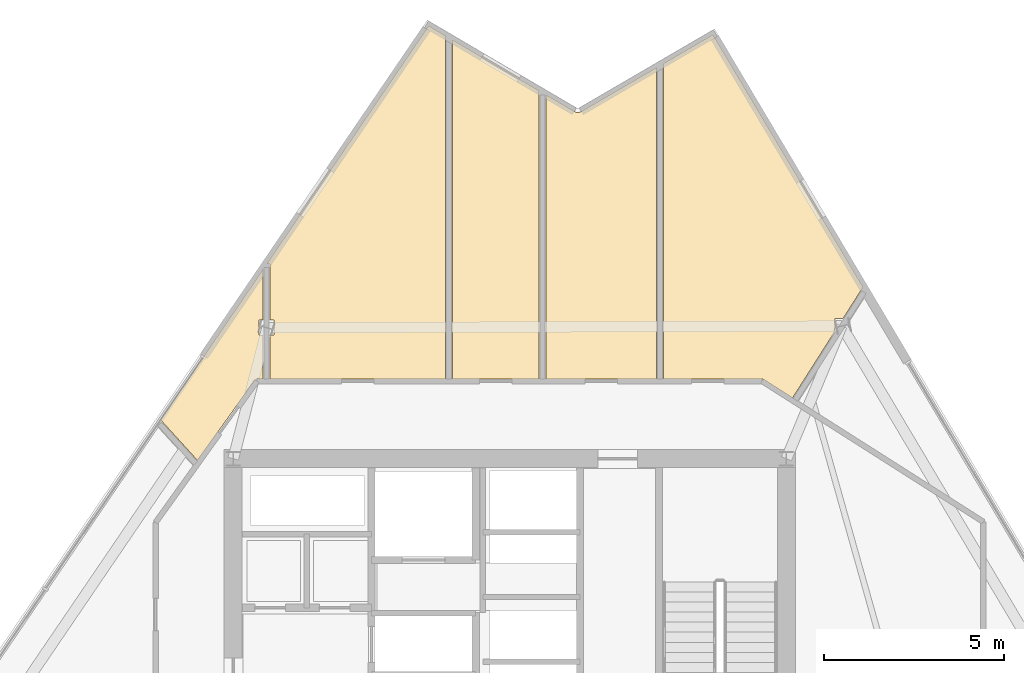
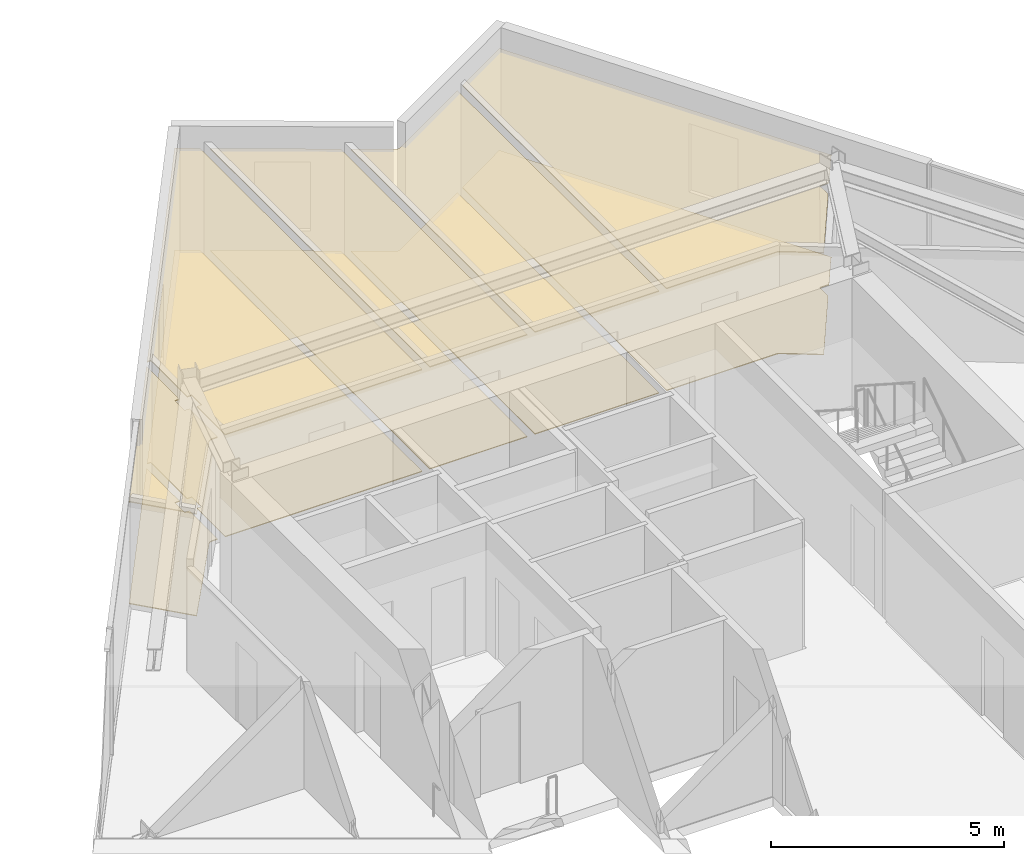
# One storey, part 14 of 15: 10 coverings.
"""IFC4 building model written with IfcOpenShell, lengths in metres."""

from ifc_helpers import new_model, si_unit, direction, frame, origin, place, context, subcontext, project, spatial, polyline, outline, extrude, material, layer, layer_set, type_object, element, save


model = new_model("IFC4")

# Units and contexts
model_context = context("Model", 3, precision=1e-05, world=origin(), true_north=direction((0.0, 1.0)))
body_context = subcontext(model_context, "Body", "Model", "MODEL_VIEW")
ifc_project = project(units=[si_unit("LENGTHUNIT", "METRE"), si_unit("AREAUNIT", "SQUARE_METRE"), si_unit("VOLUMEUNIT", "CUBIC_METRE"), si_unit("PLANEANGLEUNIT", "RADIAN"), si_unit("MASSUNIT", "GRAM", prefix="KILO")], contexts=[model_context])

# Site, building, storey
site_placement = place(None, origin())
site = spatial("IfcSite", under=ifc_project, at=site_placement, CompositionType="ELEMENT")
building_placement = place(site_placement, origin())
building = spatial("IfcBuilding", under=site, at=building_placement, Name="Savorim Split Tower", CompositionType="ELEMENT")
storey_placement = place(building_placement, frame((0.0, 0.0, 167.39990234375)))
storey = spatial("IfcBuildingStorey", under=building, at=storey_placement, Name="L44", CompositionType="ELEMENT", Elevation=167.39990234375)

# Coverings
ifc_material_1 = material(Name="Mineral Fibre Acoustic Ceiling")
ifc_layer_1 = layer(ifc_material_1, 0.02490234375)
ifc_layer_set_1 = layer_set([ifc_layer_1], Name="COV-CEIL-25")
covering_type_1 = type_object("IfcCoveringType", Name="COV-CEIL-25", PredefinedType="CEILING", material=ifc_layer_set_1)
covering_1_placement = place(storey_placement, frame((0.0, 0.0, 2.670166015625)))
element("IfcCovering", 1, at=covering_1_placement, inside=storey, type_object=covering_type_1, Name="L44 Quiet Study Room Acoustic Ceiling", PredefinedType="CEILING", context=body_context, shape_type="SweptSolid", body=[
    extrude(outline(polyline([(9.828369140625, 14.970458984375), (9.843505859375, 14.960693359375), (5.65478515625, 22.00537109375), (4.27392578125, 21.20068359375), (4.27392578125, 12.419921875), (7.0, 12.419921875), (7.01318359375, 12.41943359375), (7.0263671875, 12.41748046875), (7.0390625, 12.414306640625), (7.051513671875, 12.41015625), (7.063720703125, 12.40478515625), (7.0751953125, 12.398193359375), (7.870361328125, 11.892333984375), (9.04833984375, 13.743896484375), (9.04833984375, 14.107421875), (9.279541015625, 14.107421875), (9.77734375, 14.890380859375), (9.828369140625, 14.970458984375)])), origin(), (0.0, 0.0, 1.0), 0.02490234375),
])
covering_2_placement = place(storey_placement, frame((0.0, 0.0, 2.670166015625)))
element("IfcCovering", 2, at=covering_2_placement, inside=storey, type_object=covering_type_1, Name="L44 Quiet Study Room Acoustic Ceiling", PredefinedType="CEILING", context=body_context, shape_type="SweptSolid", body=[
    extrude(outline(polyline([(1.85205078125, 19.838134765625), (1.84130859375, 19.842529296875), (1.831298828125, 19.847900390625), (1.005615234375, 20.333251953125), (1.005615234375, 12.419921875), (4.083984375, 12.419921875), (4.083984375, 21.090087890625), (1.952392578125, 19.84765625), (1.942138671875, 19.84228515625), (1.931396484375, 19.838134765625), (1.92041015625, 19.834716796875), (1.9091796875, 19.83251953125), (1.897705078125, 19.83154296875), (1.885986328125, 19.83154296875), (1.87451171875, 19.832763671875), (1.86328125, 19.8349609375), (1.85205078125, 19.838134765625)])), origin(), (0.0, 0.0, 1.0), 0.02490234375),
])
covering_3_placement = place(storey_placement, frame((0.0, 0.0, 2.670166015625)))
element("IfcCovering", 3, at=covering_3_placement, inside=storey, type_object=covering_type_1, Name="L44 Quiet Study Room Acoustic Ceiling", PredefinedType="CEILING", context=body_context, shape_type="SweptSolid", body=[
    extrude(outline(polyline([(-1.6015625, 12.419921875), (0.8154296875, 12.419921875), (0.8154296875, 20.44482421875), (-1.6015625, 21.865478515625), (-1.6015625, 12.419921875)])), origin(), (0.0, 0.0, 1.0), 0.02490234375),
])
covering_4_placement = place(storey_placement, frame((0.0, 0.0, 2.670166015625)))
element("IfcCovering", 4, at=covering_4_placement, inside=storey, type_object=covering_type_1, Name="L44 Quiet Study Room Acoustic Ceiling", PredefinedType="CEILING", context=body_context, shape_type="SweptSolid", body=[
    extrude(outline(polyline([(-6.677490234375, 12.419921875), (-1.79150390625, 12.419921875), (-1.79150390625, 21.97705078125), (-2.259521484375, 22.252197265625), (-6.768310546875, 15.624267578125), (-6.677490234375, 15.624267578125), (-6.677490234375, 14.05859375), (-6.56201171875, 14.05859375), (-6.56201171875, 13.6396484375), (-6.677490234375, 13.6396484375), (-6.677490234375, 12.419921875)])), origin(), (0.0, 0.0, 1.0), 0.02490234375),
])
covering_5_placement = place(storey_placement, frame((0.0, 0.0, 2.670166015625)))
element("IfcCovering", 5, at=covering_5_placement, inside=storey, type_object=covering_type_1, Name="L44 Quiet Study Room Acoustic Ceiling", PredefinedType="CEILING", context=body_context, shape_type="SweptSolid", body=[
    extrude(outline(polyline([(-7.01318359375, 12.41943359375), (-7.0, 12.419921875), (-6.867431640625, 12.419921875), (-6.867431640625, 13.6396484375), (-6.98291015625, 13.6396484375), (-6.98291015625, 14.05859375), (-6.867431640625, 14.05859375), (-6.867431640625, 15.478515625), (-9.722412109375, 11.281494140625), (-8.695068359375, 10.154541015625), (-7.11376953125, 12.361572265625), (-7.105712890625, 12.3720703125), (-7.096435546875, 12.381591796875), (-7.086181640625, 12.39013671875), (-7.075439453125, 12.39794921875), (-7.06396484375, 12.404541015625), (-7.052001953125, 12.409912109375), (-7.039306640625, 12.414306640625), (-7.0263671875, 12.41748046875), (-7.01318359375, 12.41943359375)])), origin(), (0.0, 0.0, 1.0), 0.02490234375),
])
ifc_material_2 = material(Name="Porcelain Stoneware Flooring", Category="masonry")
ifc_layer_2 = layer(ifc_material_2, 0.02001953125)
ifc_layer_set_2 = layer_set([ifc_layer_2], Name="COV-FLOR-20")
covering_type_2 = type_object("IfcCoveringType", Name="COV-FLOR-20", PredefinedType="FLOORING", material=ifc_layer_set_2)
covering_6_placement = place(storey_placement, origin())
element("IfcCovering", 6, at=covering_6_placement, inside=storey, type_object=covering_type_2, Name="L44 Quiet Study Room Porcelain Flooring", PredefinedType="FLOORING", context=body_context, shape_type="SweptSolid", body=[
    extrude(outline(polyline([(9.828369140625, 14.970458984375), (9.843505859375, 14.960693359375), (5.65478515625, 22.00537109375), (4.27392578125, 21.20068359375), (4.27392578125, 12.419921875), (7.0, 12.419921875), (7.01318359375, 12.41943359375), (7.0263671875, 12.41748046875), (7.0390625, 12.414306640625), (7.051513671875, 12.41015625), (7.063720703125, 12.40478515625), (7.0751953125, 12.398193359375), (7.870361328125, 11.892333984375), (9.04833984375, 13.743896484375), (9.04833984375, 14.107421875), (9.279541015625, 14.107421875), (9.77734375, 14.890380859375), (9.828369140625, 14.970458984375)])), origin(), (0.0, 0.0, 1.0), 0.02001953125),
])
covering_7_placement = place(storey_placement, origin())
element("IfcCovering", 7, at=covering_7_placement, inside=storey, type_object=covering_type_2, Name="L44 Quiet Study Room Porcelain Flooring", PredefinedType="FLOORING", context=body_context, shape_type="SweptSolid", body=[
    extrude(outline(polyline([(1.85205078125, 19.838134765625), (1.84130859375, 19.842529296875), (1.831298828125, 19.847900390625), (1.005615234375, 20.333251953125), (1.005615234375, 12.419921875), (4.083984375, 12.419921875), (4.083984375, 21.090087890625), (1.952392578125, 19.84765625), (1.942138671875, 19.84228515625), (1.931396484375, 19.838134765625), (1.92041015625, 19.834716796875), (1.9091796875, 19.83251953125), (1.897705078125, 19.83154296875), (1.885986328125, 19.83154296875), (1.87451171875, 19.832763671875), (1.86328125, 19.8349609375), (1.85205078125, 19.838134765625)])), origin(), (0.0, 0.0, 1.0), 0.02001953125),
])
covering_8_placement = place(storey_placement, origin())
element("IfcCovering", 8, at=covering_8_placement, inside=storey, type_object=covering_type_2, Name="L44 Quiet Study Room Porcelain Flooring", PredefinedType="FLOORING", context=body_context, shape_type="SweptSolid", body=[
    extrude(outline(polyline([(-1.6015625, 12.419921875), (0.8154296875, 12.419921875), (0.8154296875, 20.44482421875), (-1.6015625, 21.865478515625), (-1.6015625, 12.419921875)])), origin(), (0.0, 0.0, 1.0), 0.02001953125),
])
covering_9_placement = place(storey_placement, origin())
element("IfcCovering", 9, at=covering_9_placement, inside=storey, type_object=covering_type_2, Name="L44 Quiet Study Room Porcelain Flooring", PredefinedType="FLOORING", context=body_context, shape_type="SweptSolid", body=[
    extrude(outline(polyline([(-6.677490234375, 12.419921875), (-1.79150390625, 12.419921875), (-1.79150390625, 21.97705078125), (-2.259521484375, 22.252197265625), (-6.768310546875, 15.624267578125), (-6.677490234375, 15.624267578125), (-6.677490234375, 14.05859375), (-6.56201171875, 14.05859375), (-6.56201171875, 13.6396484375), (-6.677490234375, 13.6396484375), (-6.677490234375, 12.419921875)])), origin(), (0.0, 0.0, 1.0), 0.02001953125),
])
covering_10_placement = place(storey_placement, origin())
element("IfcCovering", 10, at=covering_10_placement, inside=storey, type_object=covering_type_2, Name="L44 Quiet Study Room Porcelain Flooring", PredefinedType="FLOORING", context=body_context, shape_type="SweptSolid", body=[
    extrude(outline(polyline([(-7.01318359375, 12.41943359375), (-7.0, 12.419921875), (-6.867431640625, 12.419921875), (-6.867431640625, 13.6396484375), (-6.98291015625, 13.6396484375), (-6.98291015625, 14.05859375), (-6.867431640625, 14.05859375), (-6.867431640625, 15.478515625), (-9.722412109375, 11.281494140625), (-8.695068359375, 10.154541015625), (-7.11376953125, 12.361572265625), (-7.105712890625, 12.3720703125), (-7.096435546875, 12.381591796875), (-7.086181640625, 12.39013671875), (-7.075439453125, 12.39794921875), (-7.06396484375, 12.404541015625), (-7.052001953125, 12.409912109375), (-7.039306640625, 12.414306640625), (-7.0263671875, 12.41748046875), (-7.01318359375, 12.41943359375)])), origin(), (0.0, 0.0, 1.0), 0.02001953125),
])

save(model, "model.ifc")
